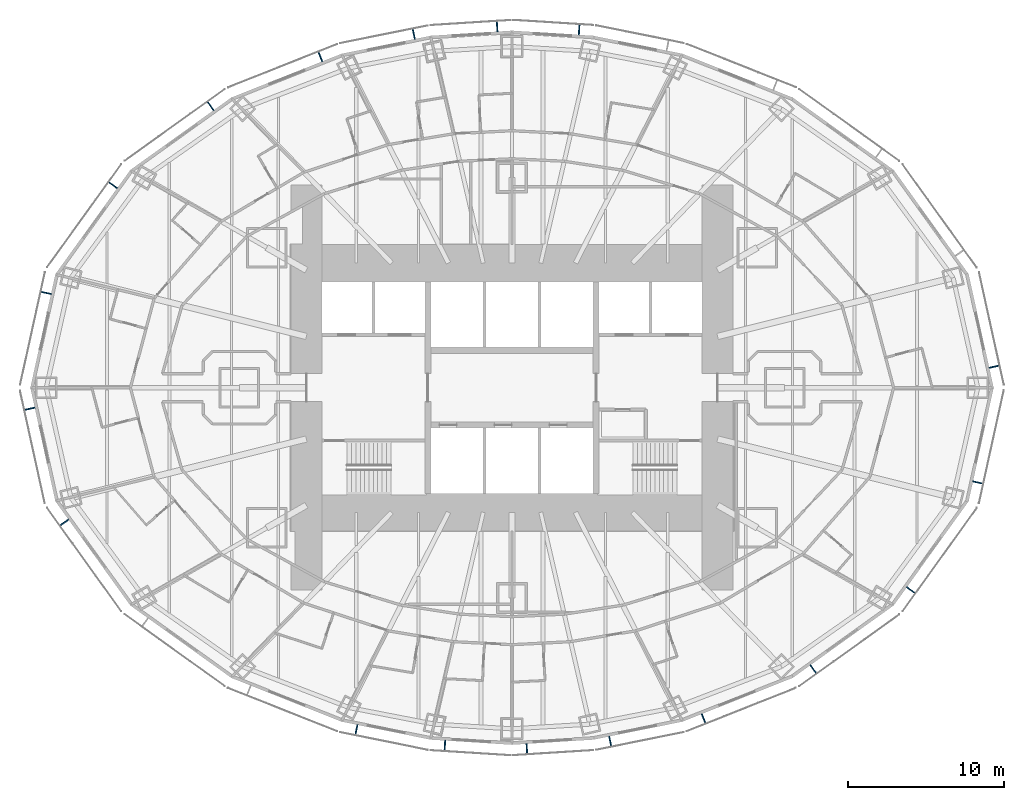
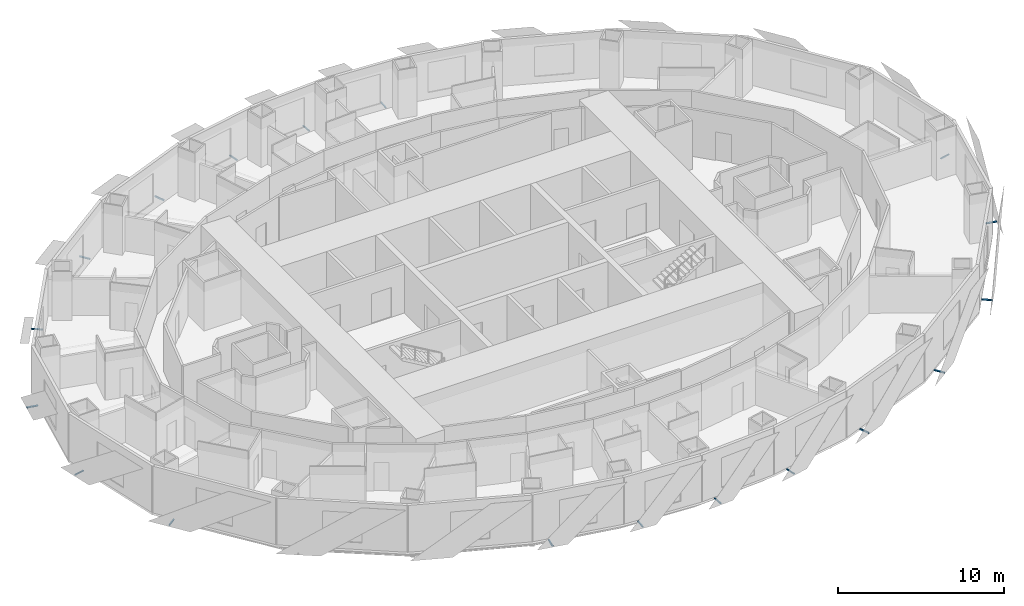
# One storey, part 11 of 15: 18 discrete accessories.
"""IFC4 building model written with IfcOpenShell, lengths in metres."""

import ifcopenshell
import ifcopenshell.guid

model = None  # the IFC model being written
_history = None  # IfcOwnerHistory: only IFC2X3 demands one
_inside = {}  # id of a spatial element -> (the spatial element, [elements in it])
_under = {}  # id of a project, library or spatial element -> (it, [spatial elements below it])
_declared = {}  # id of a project -> (the project, [libraries it declares])
_typed = {}  # id of a type object -> (the type object, [elements of that type])
_made_of = {}  # id of a material, layer set ... -> (it, [elements and type objects made of it])


def new_model(schema):
    """Start an empty IFC model of exactly this schema.

    Asked for "IFC4X3", IfcOpenShell would pick the latest addendum, in which some entities
    have other attributes; the version numbers below select the first issue.
    IFC2X3 requires an IfcOwnerHistory on every rooted entity: one is made here for all.
    """
    global model, _history
    if schema == "IFC4X3":
        model = ifcopenshell.file(schema_version=(4, 3, 0, 0))
    else:
        model = ifcopenshell.file(schema=schema)
    _inside.clear()
    _under.clear()
    _declared.clear()
    _typed.clear()
    _made_of.clear()
    _history = None
    if model.schema == "IFC2X3":
        org = make("IfcOrganization", Name="unknown")
        user = make(
            "IfcPersonAndOrganization",
            ThePerson=make("IfcPerson", FamilyName="unknown"),
            TheOrganization=org,
        )
        app = make(
            "IfcApplication",
            ApplicationDeveloper=org,
            Version="unknown",
            ApplicationFullName="unknown",
            ApplicationIdentifier="unknown",
        )
        _history = make(
            "IfcOwnerHistory",
            OwningUser=user,
            OwningApplication=app,
            ChangeAction="ADDED",
            CreationDate=0,
        )
    return model


def make(cls, **values):
    """One entity of the class cls with the attributes given. An attribute that is None is left unset."""
    return model.create_entity(
        cls, **{name: value for name, value in values.items() if value is not None}
    )


def rooted(cls, **values):
    """An entity with a GlobalId (a new one), such as an element, a storey or a relation."""
    return make(cls, GlobalId=ifcopenshell.guid.new(), OwnerHistory=_history, **values)


def si_unit(unit_type, name, prefix=None):
    """IfcSIUnit, for example si_unit("LENGTHUNIT", "METRE", prefix="MILLI")."""
    return make("IfcSIUnit", UnitType=unit_type, Prefix=prefix, Name=name)


def assignment(units):
    """IfcUnitAssignment: the units of a project."""
    return None if units is None else make("IfcUnitAssignment", Units=units)


def point(xyz):
    """IfcCartesianPoint."""
    return None if xyz is None else make("IfcCartesianPoint", Coordinates=xyz)


def direction(xyz):
    """IfcDirection."""
    return None if xyz is None else make("IfcDirection", DirectionRatios=xyz)


def frame(location, z_axis=None, x_axis=None):
    """IfcAxis2Placement3D, a coordinate frame: its origin and axes. An axis left out is left unset."""
    return make(
        "IfcAxis2Placement3D",
        Location=point(location),
        Axis=direction(z_axis),
        RefDirection=direction(x_axis),
    )


def frame_2d(location, x_axis=None):
    """IfcAxis2Placement2D, a coordinate frame in the plane: its origin and x axis."""
    return make(
        "IfcAxis2Placement2D", Location=point(location), RefDirection=direction(x_axis)
    )


def origin():
    """The frame at (0, 0, 0) with its axes left unset."""
    return frame((0.0, 0.0, 0.0))


def origin_2d():
    """The frame at (0, 0) in the plane with its x axis left unset."""
    return frame_2d((0.0, 0.0))


def place(relative_to, where):
    """IfcLocalPlacement: puts the frame where relative to a parent placement (None: the world)."""
    return make(
        "IfcLocalPlacement", PlacementRelTo=relative_to, RelativePlacement=where
    )


def context(
    kind, dimensions, precision=None, world=None, true_north=None, identifier=None
):
    """IfcGeometricRepresentationContext, for example the 3D "Model" context."""
    return make(
        "IfcGeometricRepresentationContext",
        ContextIdentifier=identifier,
        ContextType=kind,
        CoordinateSpaceDimension=dimensions,
        Precision=precision,
        WorldCoordinateSystem=world,
        TrueNorth=true_north,
    )


def subcontext(parent, identifier, kind, view, scale=None):
    """IfcGeometricRepresentationSubContext, for example "Body" below "Model"."""
    return make(
        "IfcGeometricRepresentationSubContext",
        ContextIdentifier=identifier,
        ContextType=kind,
        ParentContext=parent,
        TargetScale=scale,
        TargetView=view,
    )


def project(units=None, contexts=None):
    """IfcProject with its units and contexts."""
    return rooted(
        "IfcProject",
        Name="project",
        RepresentationContexts=contexts,
        UnitsInContext=assignment(units),
    )


def spatial(cls, under=None, at=None, **own):
    """A site, building, storey or space (cls), placed at a placement, below another one or the project."""
    s = rooted(cls, ObjectPlacement=at, **own)
    if under is not None:
        _under.setdefault(under.id(), (under, []))[1].append(s)
    return s


def profile(cls, at=None, kind="AREA", **sizes):
    """A parametric profile (cls). Its sizes go by their IFC names, for example OverallWidth=200.0."""
    return make(cls, ProfileType=kind, Position=at, **sizes)


def rectangle(**sizes):
    """IfcRectangleProfileDef."""
    return profile("IfcRectangleProfileDef", **sizes)


def extrude(swept, where, along, depth):
    """IfcExtrudedAreaSolid: the profile swept, set in the frame where, extruded along a direction by depth."""
    return make(
        "IfcExtrudedAreaSolid",
        SweptArea=swept,
        Position=where,
        ExtrudedDirection=direction(along),
        Depth=depth,
    )


def shape(context_of_items, identifier, shape_type, items):
    """IfcShapeRepresentation: the items that make up one representation, for example the "Body"."""
    return make(
        "IfcShapeRepresentation",
        ContextOfItems=context_of_items,
        RepresentationIdentifier=identifier,
        RepresentationType=shape_type,
        Items=items,
    )


def made_of(thing, what):
    """Note that an element or type object is made of a material, layer set ...; save() writes the relation."""
    if what is not None:
        _made_of.setdefault(what.id(), (what, []))[1].append(thing)
    return thing


def element(
    cls,
    number,
    at=None,
    inside=None,
    cuts=None,
    type_object=None,
    material=None,
    context=None,
    identifier="Body",
    shape_type=None,
    held_by="IfcProductDefinitionShape",
    body=None,
    shapes=None,
    **own,
):
    """One element of the class cls, such as IfcWall. Its Tag is "e" and its number.

    at: its placement. inside: the storey or other place that contains it. cuts: it is an
    opening in that element (IfcRelVoidsElement). A single representation is given by context,
    identifier, shape_type and body (its items); several are given by shapes. held_by: the class
    of the entity that holds the representations. save() writes the other relations.
    """
    e = rooted(cls, Tag="e%d" % number, ObjectPlacement=at, **own)
    if body is not None:
        shapes = [shape(context, identifier, shape_type, body)]
    if shapes is not None:
        e.Representation = make(held_by, Representations=shapes)
    if inside is not None:
        _inside.setdefault(inside.id(), (inside, []))[1].append(e)
    if cuts is not None:
        rooted(
            "IfcRelVoidsElement", RelatingBuildingElement=cuts, RelatedOpeningElement=e
        )
    if type_object is not None:
        _typed.setdefault(type_object.id(), (type_object, []))[1].append(e)
    return made_of(e, material)


def aggregate(whole, parts):
    """IfcRelAggregates: a whole, such as a stair, and the parts it consists of."""
    return rooted("IfcRelAggregates", RelatingObject=whole, RelatedObjects=parts)


def save(model, path):
    """Write the relations noted so far, then the file.

    IfcRelAggregates (storeys below a building ...), IfcRelContainedInSpatialStructure (elements
    in a storey), IfcRelDefinesByType, IfcRelAssociatesMaterial and IfcRelDeclares: one each for
    every whole, place, type object, material and project.
    """
    for whole, parts in _under.values():
        aggregate(whole, parts)
    for where, things in _inside.values():
        rooted(
            "IfcRelContainedInSpatialStructure",
            RelatedElements=things,
            RelatingStructure=where,
        )
    for kind, things in _typed.values():
        rooted("IfcRelDefinesByType", RelatedObjects=things, RelatingType=kind)
    for what, things in _made_of.values():
        rooted("IfcRelAssociatesMaterial", RelatedObjects=things, RelatingMaterial=what)
    for by, libraries in _declared.values():
        rooted("IfcRelDeclares", RelatingContext=by, RelatedDefinitions=libraries)
    model.write(path)


model = new_model("IFC4")

# Units and contexts
model_context = context("Model", 3, precision=1e-05, world=origin(), true_north=direction((0.0, 1.0)))
body_context = subcontext(model_context, "Body", "Model", "MODEL_VIEW")
ifc_project = project(units=[si_unit("LENGTHUNIT", "METRE"), si_unit("AREAUNIT", "SQUARE_METRE"), si_unit("VOLUMEUNIT", "CUBIC_METRE"), si_unit("PLANEANGLEUNIT", "RADIAN"), si_unit("MASSUNIT", "GRAM", prefix="KILO")], contexts=[model_context])

# Site, building, storey
site_placement = place(None, origin())
site = spatial("IfcSite", under=ifc_project, at=site_placement, CompositionType="ELEMENT")
building_placement = place(site_placement, origin())
building = spatial("IfcBuilding", under=site, at=building_placement, Name="Lantaw Convention Tower", CompositionType="ELEMENT")
storey_placement = place(building_placement, frame((0.0, 0.0, 58.60009765625)))
storey = spatial("IfcBuildingStorey", under=building, at=storey_placement, Name="L12", CompositionType="ELEMENT", Elevation=58.60009765625)

# Discrete accessories
for number, where, z_axis, x_axis, name in (
    (1, (30.967529296875, 1.35009765625, -0.115234375), (0.0, 0.0, 1.0), (-0.215246056391, 0.976559847223, 0.0), "Screen bracket"),
    (2, (4.310302734375, 22.987548828125, -0.115234375), (0.0, 0.0, 1.0), (-0.998016153807, 0.062958373078, 0.0), "Screen bracket"),
    (3, (-0.9560546875, 23.19921875, -0.115234375), (0.0, 0.0, 1.0), (-0.998016153807, -0.062958373078, 0.0), "Screen bracket"),
    (4, (-6.307861328125, 22.71728515625, -0.115234375), (0.0, 0.0, 1.0), (-0.980244604501, -0.197789067813, 0.0), "Screen bracket"),
    (5, (-12.309814453125, 21.25732421875, -0.115234375), (0.0, 0.0, 1.0), (-0.929361152748, -0.369171840425, 0.0), "Screen bracket"),
    (6, (-19.352294921875, 18.085205078125, -0.115234375), (0.0, 0.0, 1.0), (-0.812803733199, -0.5825376308, 0.0), "Screen bracket"),
    (7, (-25.61962890625, 13.004638671875, -0.115234375), (0.0, 0.0, 1.0), (-0.583951250436, -0.811788726895, 0.0), "Screen bracket"),
    (8, (-29.92333984375, 6.087890625, -0.115234375), (0.0, 0.0, 1.0), (-0.215246056391, -0.976559847223, 0.0), "Screen bracket"),
    (9, (-30.967529296875, -1.35009765625, -0.115234375), (0.0, 0.0, 1.0), (0.215246056391, -0.976559847223, 0.0), "Screen bracket"),
    (10, (-28.745849609375, -8.65869140625, -0.115234375), (0.0, 0.0, 1.0), (0.583951250436, -0.811788726895, 0.0), "Screen bracket"),
    (11, (-9.990478515625, -21.974365234375, -0.115234375), (0.0, 0.0, 1.0), (0.980244604501, -0.197789067813, 0.0), "Screen bracket"),
    (12, (-4.310302734375, -22.987548828125, -0.115234375), (0.0, 0.0, 1.0), (0.998016153807, -0.062958373078, 0.0), "Screen bracket"),
    (13, (0.9560546875, -23.19921875, -0.115234375), (0.0, 0.0, 1.0), (0.998016153807, 0.062958373078, 0.0), "Screen bracket"),
    (14, (6.307861328125, -22.71728515625, -0.115234375), (0.0, 0.0, 1.0), (0.980244604501, 0.197789067813, 0.0), "Screen bracket"),
    (15, (12.309814453125, -21.25732421875, -0.115234375), (0.0, 0.0, 1.0), (0.929361152748, 0.369171840425, 0.0), "Screen bracket"),
    (16, (19.352294921875, -18.085205078125, -0.115234375), (0.0, 0.0, 1.0), (0.812803733199, 0.5825376308, 0.0), "Screen bracket"),
    (17, (25.61962890625, -13.004638671875, -0.115234375), (0.0, 0.0, 1.0), (0.583951250436, 0.811788726895, 0.0), "Screen bracket"),
    (18, (29.92333984375, -6.087890625, -0.115234375), (0.0, 0.0, 1.0), (0.215246056391, 0.976559847223, 0.0), "Screen bracket"),
):
    element("IfcDiscreteAccessory", number, at=place(storey_placement, frame(where, z_axis=z_axis, x_axis=x_axis)), inside=storey, Name=name, PredefinedType="BRACKET", context=body_context, shape_type="SweptSolid", body=[
        extrude(rectangle(XDim=0.080078125, YDim=0.68798828125, at=origin_2d()), origin(), (0.0, 0.0, 1.0), 0.080078125),
    ])

save(model, "model.ifc")
